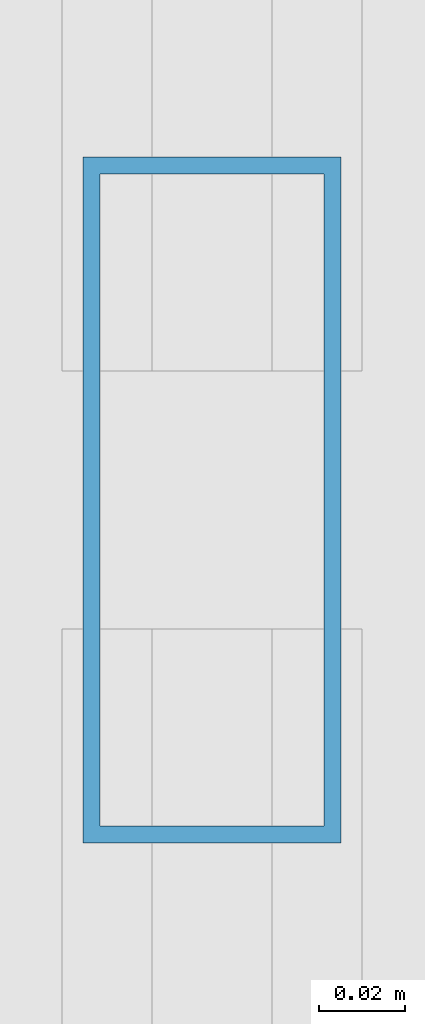
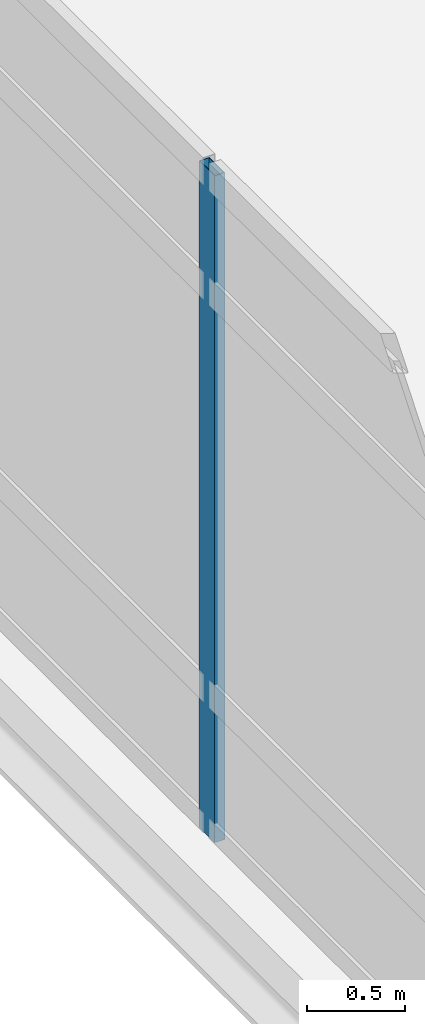
# One storey, part 12 of 45: 1 member, 1 element without a shape of its own.
"""IFC4 building model written with IfcOpenShell, lengths in metres."""

from ifc_helpers import new_model, si_unit, direction, frame, origin, origin_2d, place, context, subcontext, project, spatial, hollow_rectangle, extrude, material, layer, layer_set, material_profile, profile_set, type_object, element, aggregate, save


model = new_model("IFC4")

# Units and contexts
model_context = context("Model", 3, precision=1e-05, world=origin(), true_north=direction((0.0, 1.0)))
body_context = subcontext(model_context, "Body", "Model", "MODEL_VIEW")
ifc_project = project(units=[si_unit("LENGTHUNIT", "METRE"), si_unit("AREAUNIT", "SQUARE_METRE"), si_unit("VOLUMEUNIT", "CUBIC_METRE"), si_unit("PLANEANGLEUNIT", "RADIAN"), si_unit("MASSUNIT", "GRAM", prefix="KILO")], contexts=[model_context])

# Site, building, storey
site_placement = place(None, origin())
site = spatial("IfcSite", under=ifc_project, at=site_placement, CompositionType="ELEMENT")
building_placement = place(site_placement, origin())
building = spatial("IfcBuilding", under=site, at=building_placement, Name="Calvrana Isthmian Art Gallery", CompositionType="ELEMENT")
storey_placement = place(building_placement, frame((0.0, 0.0, 19.800048828125)))
storey = spatial("IfcBuildingStorey", under=building, at=storey_placement, Name="L04", CompositionType="ELEMENT", Elevation=19.800048828125)

# Curtain wall, member
ifc_material = material(Name="Anodized bronze aluminium 6063-T6", Category="aluminium")
ifc_layer = layer(ifc_material, 0.179931640625, Name="Anodized bronze aluminium 6063-T6")
ifc_layer_set = layer_set([ifc_layer], Name="Anodized bronze aluminium 6063-T6")
curtain_wall_type = type_object("IfcCurtainWallType", Name="CW-STICK-163X42", PredefinedType="NOTDEFINED", material=ifc_layer_set)
curtain_wall_placement = place(storey_placement, origin())
curtain_wall = element("IfcCurtainWall", 1, at=curtain_wall_placement, inside=storey, type_object=curtain_wall_type, Name="Curtain wall CW-193", PredefinedType="NOTDEFINED")
ifc_material_profile = material_profile(ifc_material, hollow_rectangle(XDim=0.06005859375, YDim=0.159912109375, WallThickness=0.00390625, at=origin_2d()), Name="CWM60X160")
ifc_profile_set = profile_set([ifc_material_profile], Name="Anodized bronze aluminium 6063-T6")
member_type = type_object("IfcMemberType", Name="CWM-CWM60X160", PredefinedType="MULLION", material=ifc_profile_set)
member_placement = place(storey_placement, frame((15.85009765625, 30.0, 0.0), z_axis=(0.0, 0.0, 1.0), x_axis=(-1.0, 0.0, 0.0)))
member = element("IfcMember", 2, at=member_placement, type_object=member_type, Name="CW-193 mullion 4", PredefinedType="MULLION", context=body_context, shape_type="SweptSolid", body=[
    extrude(hollow_rectangle(XDim=0.06005859375, YDim=0.159912109375, WallThickness=0.00390625, at=origin_2d()), origin(), (0.0, 0.0, 1.0), 4.160888671875),
])
aggregate(curtain_wall, [member])

save(model, "model.ifc")
